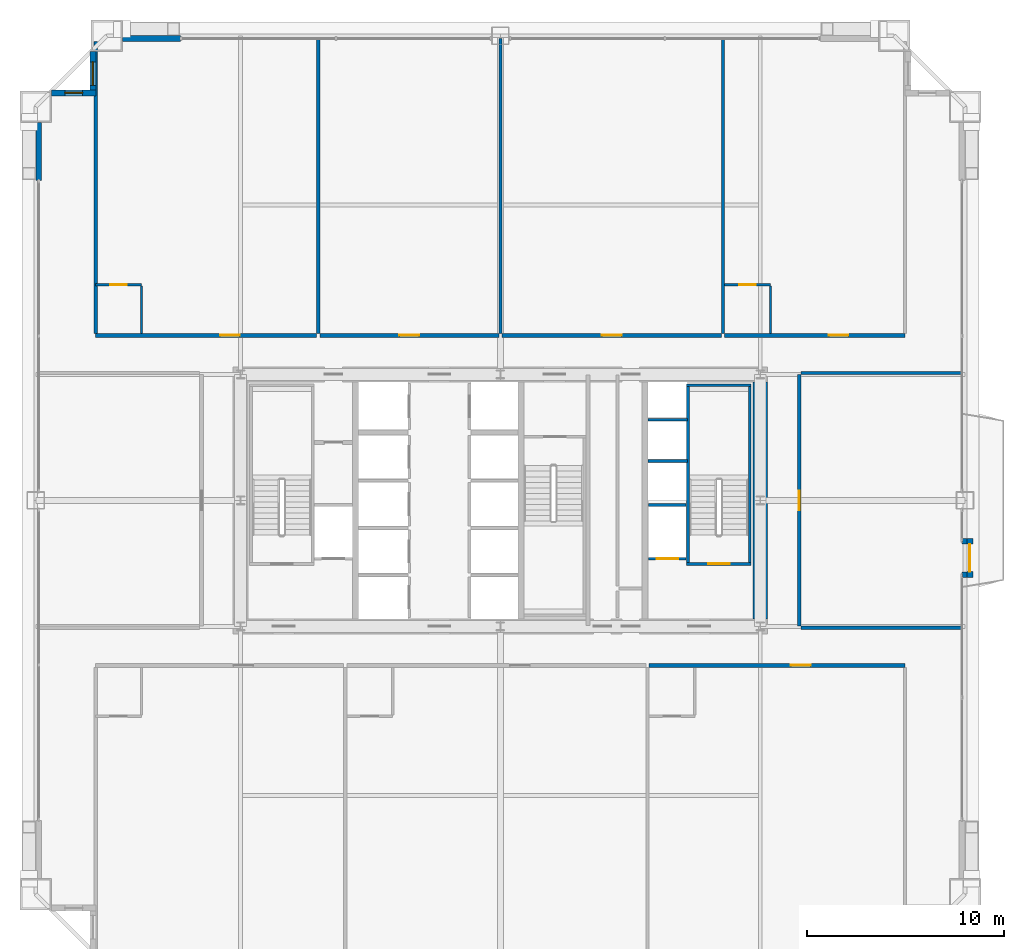
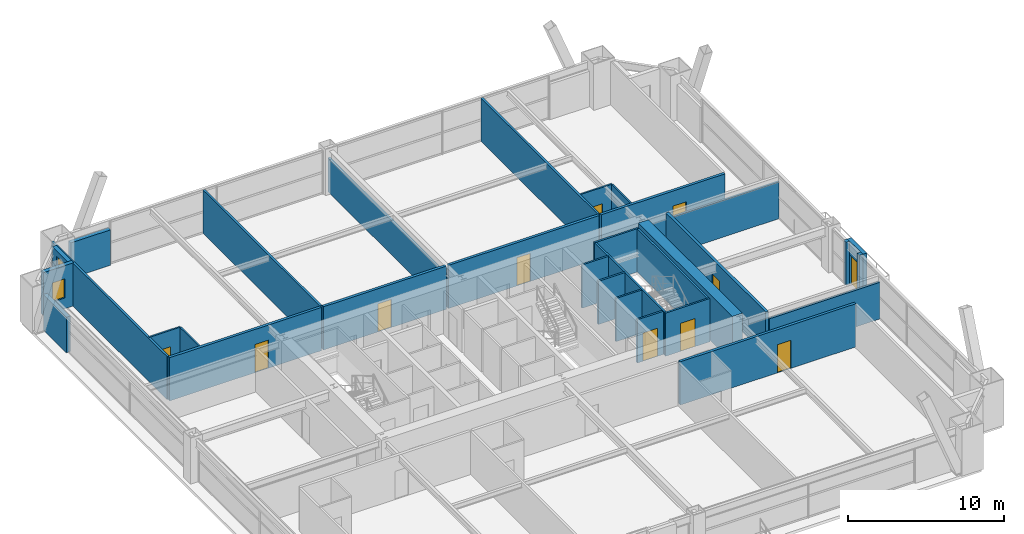
# One storey, part 41 of 43: 32 walls, 11 doors, 2 windows, 13 openings.
"""IFC4 building model written with IfcOpenShell, lengths in metres."""

from ifc_helpers import new_model, si_unit, direction, frame, frame_2d, origin, place, context, subcontext, project, spatial, rectangle, extrude, source, transform, mapped, material, layer, layer_set, type_object, element, fill, save


model = new_model("IFC4")

# Units and contexts
model_context = context("Model", 3, precision=1e-05, world=origin(), true_north=direction((0.0, 1.0)))
body_context = subcontext(model_context, "Body", "Model", "MODEL_VIEW")
ifc_project = project(units=[si_unit("LENGTHUNIT", "METRE"), si_unit("AREAUNIT", "SQUARE_METRE"), si_unit("VOLUMEUNIT", "CUBIC_METRE"), si_unit("PLANEANGLEUNIT", "RADIAN"), si_unit("MASSUNIT", "GRAM", prefix="KILO"), si_unit("THERMODYNAMICTEMPERATUREUNIT", "KELVIN"), si_unit("POWERUNIT", "WATT")], contexts=[model_context])

# Site, building, storey
site_placement = place(None, origin())
site = spatial("IfcSite", under=ifc_project, at=site_placement, CompositionType="ELEMENT")
building_placement = place(site_placement, origin())
building = spatial("IfcBuilding", under=site, at=building_placement, Name="Yuzanri Waterfront Tower", CompositionType="ELEMENT")
storey_placement = place(building_placement, frame((0.0, 0.0, 101.0)))
storey = spatial("IfcBuildingStorey", under=building, at=storey_placement, Name="L26", CompositionType="ELEMENT", Elevation=101.0)

# Wall, opening, door
ifc_material_1 = material(Name="Moisture-Resistant Gypsum Stud Wall", Category="gypsum")
ifc_layer_1 = layer(ifc_material_1, 0.1201171875)
ifc_layer_set_1 = layer_set([ifc_layer_1], Name="Moisture-Resistant Gypsum Stud Wall")
wall_type_1 = type_object("IfcWallType", Name="Bathroom and Kitchen Wet Partition 120", PredefinedType="PARTITIONING", material=ifc_layer_set_1)
wall_1_placement = place(storey_placement, frame((16.43994140625, 36.760009765625, 0.0), z_axis=(0.0, 0.0, 1.0), x_axis=(1.0, 0.0, 0.0)))
wall_1 = element("IfcWall", 1, at=wall_1_placement, inside=storey, type_object=wall_type_1, Name="L26 Partition UW-L26-N1-BN", PredefinedType="PARTITIONING", context=body_context, shape_type="SweptSolid", body=[
    extrude(rectangle(XDim=2.330078125, YDim=0.1201171875, at=frame_2d((1.1650390625, 0.0))), origin(), (0.0, 0.0, 1.0), 3.3798828125),
])
opening_1_placement = place(wall_1_placement, frame((0.739990234375, 0.0, 0.0)))
opening_1 = element("IfcOpeningElement", 2, at=opening_1_placement, cuts=wall_1, Name="Opening ID-0850", PredefinedType="OPENING", context=body_context, shape_type="SweptSolid", body=[
    extrude(rectangle(XDim=0.85009765625, YDim=2.10009765625, at=frame_2d((0.425048828125, 1.050048828125))), frame((0.0, 0.074951171875, 0.0), z_axis=(0.0, -1.0, 0.0), x_axis=(1.0, 0.0, 0.0)), (0.0, 0.0, 1.0), 0.14990234375),
])
ifc_material_2 = material(Name="Moisture-Resistant Lacquered Timber", Category="wood")
door_type_1 = type_object("IfcDoorType", Name="En-Suite Bathroom and Kitchen Swing Door 850x2100", OperationType="NOTDEFINED", PredefinedType="DOOR", material=ifc_material_2)
shared_shape_1 = source(origin(), body_context, "Body", "SweptSolid", [
    extrude(rectangle(XDim=0.85009765625, YDim=2.10009765625, at=frame_2d((0.425048828125, 1.050048828125))), frame((0.0, 0.02490234375, 0.0), z_axis=(0.0, -1.0, 0.0), x_axis=(1.0, 0.0, 0.0)), (0.0, 0.0, 1.0), 0.050048828125),
])
door_1_placement = place(opening_1_placement, origin())
door_1 = element("IfcDoor", 3, at=door_1_placement, inside=storey, type_object=door_type_1, Name="L26 Guest En-Suite Door", OperationType="SINGLE_SWING_LEFT", OverallHeight=2.10009765625, OverallWidth=0.85009765625, PredefinedType="DOOR", context=body_context, shape_type="MappedRepresentation", body=[
    mapped(shared_shape_1, transform((0.0, 0.0, 0.0), scale=1.0)),
])
fill(opening_1, door_1)

wall_2_placement = place(storey_placement, frame((48.387939453125, 36.760009765625, 0.0), z_axis=(0.0, 0.0, 1.0), x_axis=(1.0, 0.0, 0.0)))
wall_2 = element("IfcWall", 4, at=wall_2_placement, inside=storey, type_object=wall_type_1, Name="L26 Partition UW-L26-N4-BN", PredefinedType="PARTITIONING", context=body_context, shape_type="SweptSolid", body=[
    extrude(rectangle(XDim=2.330078125, YDim=0.1201171875, at=frame_2d((1.1650390625, 0.0))), origin(), (0.0, 0.0, 1.0), 3.3798828125),
])
opening_2_placement = place(wall_2_placement, frame((0.739990234375, 0.0, 0.0)))
opening_2 = element("IfcOpeningElement", 5, at=opening_2_placement, cuts=wall_2, Name="Opening ID-0850", PredefinedType="OPENING", context=body_context, shape_type="SweptSolid", body=[
    extrude(rectangle(XDim=0.85009765625, YDim=2.10009765625, at=frame_2d((0.425048828125, 1.050048828125))), frame((0.0, 0.074951171875, 0.0), z_axis=(0.0, -1.0, 0.0), x_axis=(1.0, 0.0, 0.0)), (0.0, 0.0, 1.0), 0.14990234375),
])
door_2_placement = place(opening_2_placement, origin())
door_2 = element("IfcDoor", 6, at=door_2_placement, inside=storey, type_object=door_type_1, Name="L26 Guest En-Suite Door", OperationType="SINGLE_SWING_LEFT", OverallHeight=2.10009765625, OverallWidth=0.85009765625, PredefinedType="DOOR", context=body_context, shape_type="MappedRepresentation", body=[
    mapped(shared_shape_1, transform((0.0, 0.0, 0.0), scale=1.0)),
])
fill(opening_2, door_2)

# Wall, opening, window
ifc_material_3 = material(Name="Honed Chongqing Dark Basalt Stone", Category="masonry")
ifc_layer_2 = layer(ifc_material_3, 0.300048828125)
ifc_layer_set_2 = layer_set([ifc_layer_2], Name="Honed Chongqing Dark Basalt Stone")
wall_type_2 = type_object("IfcWallType", Name="Bronze Rainscreen Insulated Spandrel Portal Wall 300", PredefinedType="SOLIDWALL", material=ifc_layer_set_2)
wall_3_placement = place(storey_placement, frame((16.449951171875, 46.5, 0.0), z_axis=(0.0, 0.0, 1.0), x_axis=(-1.0, 0.0, 0.0)))
wall_3 = element("IfcWall", 7, at=wall_3_placement, inside=storey, type_object=wall_type_2, Name="L26 Notched Corner Masonry Wall NW-X", PredefinedType="SOLIDWALL", context=body_context, shape_type="SweptSolid", body=[
    extrude(rectangle(XDim=2.25, YDim=0.300048828125, at=frame_2d((1.125, 0.0))), origin(), (0.0, 0.0, 1.0), 3.3798828125),
])
opening_3_placement = place(wall_3_placement, frame((0.675048828125, 0.0, 0.85009765625)))
opening_3 = element("IfcOpeningElement", 8, at=opening_3_placement, cuts=wall_3, Name="Opening WN-05", PredefinedType="OPENING", context=body_context, shape_type="SweptSolid", body=[
    extrude(rectangle(XDim=0.89990234375, YDim=1.5, at=frame_2d((0.449951171875, 0.75))), frame((0.0, 0.1650390625, 0.0), z_axis=(0.0, -1.0, 0.0), x_axis=(1.0, 0.0, 0.0)), (0.0, 0.0, 1.0), 0.329833984375),
])
ifc_material_4 = material(Name="Double-Silver Low-E Insulated Glass", Category="glass")
window_type_1 = type_object("IfcWindowType", Name="Anodized Bronze Service and Stairwell Smoke-Vent Window 900x1500", PartitioningType="SINGLE_PANEL", PredefinedType="WINDOW", material=ifc_material_4)
shared_shape_2 = source(origin(), body_context, "Body", "SweptSolid", [
    extrude(rectangle(XDim=0.89990234375, YDim=1.5, at=frame_2d((0.449951171875, 0.75))), frame((0.0, 0.030029296875, 0.0), z_axis=(0.0, -1.0, 0.0), x_axis=(1.0, 0.0, 0.0)), (0.0, 0.0, 1.0), 0.06005859375),
])
window_1_placement = place(opening_3_placement, origin())
window_1 = element("IfcWindow", 9, at=window_1_placement, inside=storey, type_object=window_type_1, Name="L26 Notched Corner Window NW-X", OverallHeight=1.5, OverallWidth=0.89990234375, PartitioningType="SINGLE_PANEL", PredefinedType="WINDOW", context=body_context, shape_type="MappedRepresentation", body=[
    mapped(shared_shape_2, transform((0.0, 0.0, 0.0), scale=1.0)),
])
fill(opening_3, window_1)

wall_4_placement = place(storey_placement, frame((16.300048828125, 48.60009765625, 0.0), z_axis=(0.0, 0.0, 1.0), x_axis=(0.0, -1.0, 0.0)))
wall_4 = element("IfcWall", 10, at=wall_4_placement, inside=storey, type_object=wall_type_2, Name="L26 Notched Corner Masonry Wall NW-Y", PredefinedType="SOLIDWALL", context=body_context, shape_type="SweptSolid", body=[
    extrude(rectangle(XDim=2.25, YDim=0.300048828125, at=frame_2d((1.125, 0.0))), origin(), (0.0, 0.0, 1.0), 3.3798828125),
])
opening_4_placement = place(wall_4_placement, frame((0.52490234375, 0.0, 0.85009765625)))
opening_4 = element("IfcOpeningElement", 11, at=opening_4_placement, cuts=wall_4, Name="Opening WN-02", PredefinedType="OPENING", context=body_context, shape_type="SweptSolid", body=[
    extrude(rectangle(XDim=1.199951171875, YDim=2.10009765625, at=frame_2d((0.60009765625, 1.050048828125))), frame((0.0, 0.1650390625, 0.0), z_axis=(0.0, -1.0, 0.0), x_axis=(1.0, 0.0, 0.0)), (0.0, 0.0, 1.0), 0.329833984375),
])
ifc_material_5 = material(Name="Double-Silver Low-E Insulated Glass", Category="glass")
window_type_2 = type_object("IfcWindowType", Name="Anodized Bronze Notched Corner Deep-Set Slot Window 1200x2100", PartitioningType="SINGLE_PANEL", PredefinedType="WINDOW", material=ifc_material_5)
shared_shape_3 = source(origin(), body_context, "Body", "SweptSolid", [
    extrude(rectangle(XDim=1.199951171875, YDim=2.10009765625, at=frame_2d((0.60009765625, 1.050048828125))), frame((0.0, 0.030029296875, 0.0), z_axis=(0.0, -1.0, 0.0), x_axis=(1.0, 0.0, 0.0)), (0.0, 0.0, 1.0), 0.06005859375),
])
window_2_placement = place(opening_4_placement, origin())
window_2 = element("IfcWindow", 12, at=window_2_placement, inside=storey, type_object=window_type_2, Name="L26 Notched Corner Window NW-Y", OverallHeight=2.10009765625, OverallWidth=1.199951171875, PartitioningType="SINGLE_PANEL", PredefinedType="WINDOW", context=body_context, shape_type="MappedRepresentation", body=[
    mapped(shared_shape_3, transform((0.0, 0.0, 0.0), scale=1.0)),
])
fill(opening_4, window_2)

# Wall, opening, door
wall_5_placement = place(storey_placement, frame((60.85009765625, 21.875, 0.0), z_axis=(0.0, 0.0, 1.0), x_axis=(0.0, 1.0, 0.0)))
wall_5 = element("IfcWall", 13, at=wall_5_placement, inside=storey, type_object=wall_type_2, Name="L26 E Terrace Door Portal Wall", PredefinedType="SOLIDWALL", context=body_context, shape_type="SweptSolid", body=[
    extrude(rectangle(XDim=2.0, YDim=0.300048828125, at=frame_2d((1.0, 0.0))), origin(), (0.0, 0.0, 1.0), 3.3798828125),
])
opening_5_placement = place(wall_5_placement, frame((0.300048828125, 0.0, 0.0)))
opening_5 = element("IfcOpeningElement", 14, at=opening_5_placement, cuts=wall_5, Name="Opening TD-1400", PredefinedType="OPENING", context=body_context, shape_type="SweptSolid", body=[
    extrude(rectangle(XDim=1.39990234375, YDim=2.300048828125, at=frame_2d((0.699951171875, 1.14990234375))), frame((0.0, 0.1650390625, 0.0), z_axis=(0.0, -1.0, 0.0), x_axis=(1.0, 0.0, 0.0)), (0.0, 0.0, 1.0), 0.329833984375),
])
ifc_material_6 = material(Name="Anodized Architectural Bronze", Category="metal")
door_type_2 = type_object("IfcDoorType", Name="Anodized Bronze Balcony and Terrace Glazed Double Door 1400x2300", OperationType="NOTDEFINED", PredefinedType="DOOR", material=ifc_material_6)
shared_shape_4 = source(origin(), body_context, "Body", "SweptSolid", [
    extrude(rectangle(XDim=1.39990234375, YDim=2.300048828125, at=frame_2d((0.699951171875, 1.14990234375))), frame((0.0, 0.02490234375, 0.0), z_axis=(0.0, -1.0, 0.0), x_axis=(1.0, 0.0, 0.0)), (0.0, 0.0, 1.0), 0.050048828125),
])
door_3_placement = place(opening_5_placement, origin())
door_3 = element("IfcDoor", 15, at=door_3_placement, inside=storey, type_object=door_type_2, Name="L26 E Terrace Glazed Double Door", OperationType="DOUBLE_DOOR_SINGLE_SWING", OverallHeight=2.300048828125, OverallWidth=1.39990234375, PredefinedType="DOOR", context=body_context, shape_type="MappedRepresentation", body=[
    mapped(shared_shape_4, transform((0.0, 0.0, 0.0), scale=1.0)),
])
fill(opening_5, door_3)

ifc_material_7 = material(Name="Concrete C40", Category="concrete")
ifc_layer_3 = layer(ifc_material_7, 0.139892578125)
ifc_layer_set_3 = layer_set([ifc_layer_3], Name="Concrete C40")
wall_type_3 = type_object("IfcWallType", Name="Core Stair Liner and Hoistway Shaft Wall 140", PredefinedType="SOLIDWALL", material=ifc_layer_set_3)
wall_6_placement = place(storey_placement, frame((44.52001953125, 22.830078125, 0.0), z_axis=(0.0, 0.0, 1.0), x_axis=(1.0, 0.0, 0.0)))
wall_6 = element("IfcWall", 16, at=wall_6_placement, inside=storey, type_object=wall_type_3, Name="L26 Lift FL-02 Front Shaft Wall", PredefinedType="SOLIDWALL", context=body_context, shape_type="SweptSolid", body=[
    extrude(rectangle(XDim=1.919921875, YDim=0.139892578125, at=frame_2d((0.9599609375, 0.0))), origin(), (0.0, 0.0, 1.0), 3.3798828125),
])
opening_6_placement = place(wall_6_placement, frame((0.409912109375, 0.0, 0.0)))
opening_6 = element("IfcOpeningElement", 17, at=opening_6_placement, cuts=wall_6, Name="Opening LD-FL-02", PredefinedType="OPENING", context=body_context, shape_type="SweptSolid", body=[
    extrude(rectangle(XDim=1.10009765625, YDim=2.199951171875, at=frame_2d((0.550048828125, 1.10009765625))), frame((0.0, 0.0849609375, 0.0), z_axis=(0.0, -1.0, 0.0), x_axis=(1.0, 0.0, 0.0)), (0.0, 0.0, 1.0), 0.169677734375),
])
ifc_material_8 = material(Name="Brushed Bronze and Stainless Steel Cab", Category="steel")
door_type_3 = type_object("IfcDoorType", Name="Center-Parting Bronze Lift Landing Sliding Door 1100x2200", OperationType="NOTDEFINED", PredefinedType="DOOR", material=ifc_material_8)
shared_shape_5 = source(origin(), body_context, "Body", "SweptSolid", [
    extrude(rectangle(XDim=1.10009765625, YDim=2.199951171875, at=frame_2d((0.550048828125, 1.10009765625))), frame((0.0, 0.02490234375, 0.0), z_axis=(0.0, -1.0, 0.0), x_axis=(1.0, 0.0, 0.0)), (0.0, 0.0, 1.0), 0.050048828125),
])
door_4_placement = place(opening_6_placement, origin())
door_4 = element("IfcDoor", 18, at=door_4_placement, inside=storey, type_object=door_type_3, Name="L26 FL-02 Lift Landing Sliding Door", OperationType="SLIDING_TO_RIGHT", OverallHeight=2.199951171875, OverallWidth=1.10009765625, PredefinedType="DOOR", context=body_context, shape_type="MappedRepresentation", body=[
    mapped(shared_shape_5, transform((0.0, 0.0, 0.0), scale=1.0)),
])
fill(opening_6, door_4)

wall_7_placement = place(storey_placement, frame((46.4599609375, 22.570068359375, 0.0), z_axis=(0.0, 0.0, 1.0), x_axis=(1.0, 0.0, 0.0)))
wall_7 = element("IfcWall", 19, at=wall_7_placement, inside=storey, type_object=wall_type_3, Name="L26 Shaft Wall STW-L26-ST-02-S", PredefinedType="SOLIDWALL", context=body_context, shape_type="SweptSolid", body=[
    extrude(rectangle(XDim=3.280029296875, YDim=0.139892578125, at=frame_2d((1.64013671875, 0.0))), origin(), (0.0, 0.0, 1.0), 3.3798828125),
])
opening_7_placement = place(wall_7_placement, frame((1.090087890625, 0.0, 0.0)))
opening_7 = element("IfcOpeningElement", 20, at=opening_7_placement, cuts=wall_7, Name="Opening FD-1100", PredefinedType="OPENING", context=body_context, shape_type="SweptSolid", body=[
    extrude(rectangle(XDim=1.10009765625, YDim=2.199951171875, at=frame_2d((0.550048828125, 1.10009765625))), frame((0.0, 0.0849609375, 0.0), z_axis=(0.0, -1.0, 0.0), x_axis=(1.0, 0.0, 0.0)), (0.0, 0.0, 1.0), 0.169677734375),
])
ifc_material_9 = material(Name="Painted Galvanized Fire Steel", Category="steel")
door_type_4 = type_object("IfcDoorType", Name="Smoke-Proof Stair and Lobby Fire Door 1100x2200", OperationType="NOTDEFINED", PredefinedType="DOOR", material=ifc_material_9)
shared_shape_6 = source(origin(), body_context, "Body", "SweptSolid", [
    extrude(rectangle(XDim=1.10009765625, YDim=2.199951171875, at=frame_2d((0.550048828125, 1.10009765625))), frame((0.0, 0.02490234375, 0.0), z_axis=(0.0, -1.0, 0.0), x_axis=(1.0, 0.0, 0.0)), (0.0, 0.0, 1.0), 0.050048828125),
])
door_5_placement = place(opening_7_placement, origin())
door_5 = element("IfcDoor", 21, at=door_5_placement, inside=storey, type_object=door_type_4, Name="L26 Stair ST-02 Fire Door", OperationType="SINGLE_SWING_RIGHT", OverallHeight=2.199951171875, OverallWidth=1.10009765625, PredefinedType="DOOR", context=body_context, shape_type="MappedRepresentation", body=[
    mapped(shared_shape_6, transform((0.0, 0.0, 0.0), scale=1.0)),
])
fill(opening_7, door_5)

ifc_material_10 = material(Name="Autoclaved Aerated Concrete Blockwork", Category="masonry")
ifc_layer_4 = layer(ifc_material_10, 0.199951171875)
ifc_layer_set_4 = layer_set([ifc_layer_4], Name="Autoclaved Aerated Concrete Blockwork")
wall_type_4 = type_object("IfcWallType", Name="Corridor and Unit Party Fire Wall 200", PredefinedType="PARTITIONING", material=ifc_layer_set_4)
wall_8_placement = place(storey_placement, frame((44.550048828125, 17.419921875, 0.0), z_axis=(0.0, 0.0, 1.0), x_axis=(1.0, 0.0, 0.0)))
wall_8 = element("IfcWall", 22, at=wall_8_placement, inside=storey, type_object=wall_type_4, Name="L26 Partition UW-L26-S3-CN", PredefinedType="PARTITIONING", context=body_context, shape_type="SweptSolid", body=[
    extrude(rectangle(XDim=13.010009765625, YDim=0.199951171875, at=frame_2d((6.5048828125, 0.0))), origin(), (0.0, 0.0, 1.0), 3.3798828125),
])
opening_8_placement = place(wall_8_placement, frame((7.2099609375, 0.0, 0.0)))
opening_8 = element("IfcOpeningElement", 23, at=opening_8_placement, cuts=wall_8, Name="Opening FD-1000", PredefinedType="OPENING", context=body_context, shape_type="SweptSolid", body=[
    extrude(rectangle(XDim=1.0, YDim=2.199951171875, at=frame_2d((0.5, 1.10009765625))), frame((0.0, 0.11474609375, 0.0), z_axis=(0.0, -1.0, 0.0), x_axis=(1.0, 0.0, 0.0)), (0.0, 0.0, 1.0), 0.229736328125),
])
ifc_material_11 = material(Name="Engineered Oak Fire-Rated Timber", Category="wood")
door_type_5 = type_object("IfcDoorType", Name="Guestroom and Apartment Entrance Fire Door 1000x2200", OperationType="NOTDEFINED", PredefinedType="DOOR", material=ifc_material_11)
shared_shape_7 = source(origin(), body_context, "Body", "SweptSolid", [
    extrude(rectangle(XDim=1.0, YDim=2.199951171875, at=frame_2d((0.5, 1.10009765625))), frame((0.0, 0.02490234375, 0.0), z_axis=(0.0, -1.0, 0.0), x_axis=(1.0, 0.0, 0.0)), (0.0, 0.0, 1.0), 0.050048828125),
])
door_6_placement = place(opening_8_placement, origin())
door_6 = element("IfcDoor", 24, at=door_6_placement, inside=storey, type_object=door_type_5, Name="L26 Ambassador Corner Suite Entrance Door", OperationType="SINGLE_SWING_RIGHT", OverallHeight=2.199951171875, OverallWidth=1.0, PredefinedType="DOOR", context=body_context, shape_type="MappedRepresentation", body=[
    mapped(shared_shape_7, transform((0.0, 0.0, 0.0), scale=1.0)),
])
fill(opening_8, door_6)

wall_9_placement = place(storey_placement, frame((16.43994140625, 34.179931640625, 0.0), z_axis=(0.0, 0.0, 1.0), x_axis=(1.0, 0.0, 0.0)))
wall_9 = element("IfcWall", 25, at=wall_9_placement, inside=storey, type_object=wall_type_4, Name="L26 Partition UW-L26-N1-CS", PredefinedType="PARTITIONING", context=body_context, shape_type="SweptSolid", body=[
    extrude(rectangle(XDim=11.22802734375, YDim=0.199951171875, at=frame_2d((5.614013671875, 0.0))), origin(), (0.0, 0.0, 1.0), 3.3798828125),
])
opening_9_placement = place(wall_9_placement, frame((6.319091796875, 0.0, 0.0)))
opening_9 = element("IfcOpeningElement", 26, at=opening_9_placement, cuts=wall_9, Name="Opening FD-1000", PredefinedType="OPENING", context=body_context, shape_type="SweptSolid", body=[
    extrude(rectangle(XDim=1.0, YDim=2.199951171875, at=frame_2d((0.5, 1.10009765625))), frame((0.0, 0.11474609375, 0.0), z_axis=(0.0, -1.0, 0.0), x_axis=(1.0, 0.0, 0.0)), (0.0, 0.0, 1.0), 0.229736328125),
])
door_7_placement = place(opening_9_placement, origin())
door_7 = element("IfcDoor", 27, at=door_7_placement, inside=storey, type_object=door_type_5, Name="L26 Cityview Executive Suite Entrance Door", OperationType="SINGLE_SWING_RIGHT", OverallHeight=2.199951171875, OverallWidth=1.0, PredefinedType="DOOR", context=body_context, shape_type="MappedRepresentation", body=[
    mapped(shared_shape_7, transform((0.0, 0.0, 0.0), scale=1.0)),
])
fill(opening_9, door_7)

wall_10_placement = place(storey_placement, frame((27.827880859375, 34.179931640625, 0.0), z_axis=(0.0, 0.0, 1.0), x_axis=(1.0, 0.0, 0.0)))
wall_10 = element("IfcWall", 28, at=wall_10_placement, inside=storey, type_object=wall_type_4, Name="L26 Partition UW-L26-N2-CS", PredefinedType="PARTITIONING", context=body_context, shape_type="SweptSolid", body=[
    extrude(rectangle(XDim=9.092041015625, YDim=0.199951171875, at=frame_2d((4.5458984375, 0.0))), origin(), (0.0, 0.0, 1.0), 3.3798828125),
])
opening_10_placement = place(wall_10_placement, frame((4.0458984375, 0.0, 0.0)))
opening_10 = element("IfcOpeningElement", 29, at=opening_10_placement, cuts=wall_10, Name="Opening FD-1000", PredefinedType="OPENING", context=body_context, shape_type="SweptSolid", body=[
    extrude(rectangle(XDim=1.0, YDim=2.199951171875, at=frame_2d((0.5, 1.10009765625))), frame((0.0, 0.11474609375, 0.0), z_axis=(0.0, -1.0, 0.0), x_axis=(1.0, 0.0, 0.0)), (0.0, 0.0, 1.0), 0.229736328125),
])
door_8_placement = place(opening_10_placement, origin())
door_8 = element("IfcDoor", 30, at=door_8_placement, inside=storey, type_object=door_type_5, Name="L26 Diplomatic Boardroom A Entrance Door", OperationType="SINGLE_SWING_RIGHT", OverallHeight=2.199951171875, OverallWidth=1.0, PredefinedType="DOOR", context=body_context, shape_type="MappedRepresentation", body=[
    mapped(shared_shape_7, transform((0.0, 0.0, 0.0), scale=1.0)),
])
fill(opening_10, door_8)

wall_11_placement = place(storey_placement, frame((37.080078125, 34.179931640625, 0.0), z_axis=(0.0, 0.0, 1.0), x_axis=(1.0, 0.0, 0.0)))
wall_11 = element("IfcWall", 31, at=wall_11_placement, inside=storey, type_object=wall_type_4, Name="L26 Partition UW-L26-N3-CS", PredefinedType="PARTITIONING", context=body_context, shape_type="SweptSolid", body=[
    extrude(rectangle(XDim=11.14794921875, YDim=0.199951171875, at=frame_2d((5.573974609375, 0.0))), origin(), (0.0, 0.0, 1.0), 3.3798828125),
])
opening_11_placement = place(wall_11_placement, frame((5.073974609375, 0.0, 0.0)))
opening_11 = element("IfcOpeningElement", 32, at=opening_11_placement, cuts=wall_11, Name="Opening FD-1000", PredefinedType="OPENING", context=body_context, shape_type="SweptSolid", body=[
    extrude(rectangle(XDim=1.0, YDim=2.199951171875, at=frame_2d((0.5, 1.10009765625))), frame((0.0, 0.11474609375, 0.0), z_axis=(0.0, -1.0, 0.0), x_axis=(1.0, 0.0, 0.0)), (0.0, 0.0, 1.0), 0.229736328125),
])
door_9_placement = place(opening_11_placement, origin())
door_9 = element("IfcDoor", 33, at=door_9_placement, inside=storey, type_object=door_type_5, Name="L26 Diplomatic Boardroom B Entrance Door", OperationType="SINGLE_SWING_LEFT", OverallHeight=2.199951171875, OverallWidth=1.0, PredefinedType="DOOR", context=body_context, shape_type="MappedRepresentation", body=[
    mapped(shared_shape_7, transform((0.0, 0.0, 0.0), scale=1.0)),
])
fill(opening_11, door_9)

wall_12_placement = place(storey_placement, frame((48.387939453125, 34.179931640625, 0.0), z_axis=(0.0, 0.0, 1.0), x_axis=(1.0, 0.0, 0.0)))
wall_12 = element("IfcWall", 34, at=wall_12_placement, inside=storey, type_object=wall_type_4, Name="L26 Partition UW-L26-N4-CS", PredefinedType="PARTITIONING", context=body_context, shape_type="SweptSolid", body=[
    extrude(rectangle(XDim=9.172119140625, YDim=0.199951171875, at=frame_2d((4.5859375, 0.0))), origin(), (0.0, 0.0, 1.0), 3.3798828125),
])
opening_12_placement = place(wall_12_placement, frame((5.291015625, 0.0, 0.0)))
opening_12 = element("IfcOpeningElement", 35, at=opening_12_placement, cuts=wall_12, Name="Opening FD-1000", PredefinedType="OPENING", context=body_context, shape_type="SweptSolid", body=[
    extrude(rectangle(XDim=1.0, YDim=2.199951171875, at=frame_2d((0.5, 1.10009765625))), frame((0.0, 0.11474609375, 0.0), z_axis=(0.0, -1.0, 0.0), x_axis=(1.0, 0.0, 0.0)), (0.0, 0.0, 1.0), 0.229736328125),
])
door_10_placement = place(opening_12_placement, origin())
door_10 = element("IfcDoor", 36, at=door_10_placement, inside=storey, type_object=door_type_5, Name="L26 Cityview Executive Suite Entrance Door", OperationType="SINGLE_SWING_RIGHT", OverallHeight=2.199951171875, OverallWidth=1.0, PredefinedType="DOOR", context=body_context, shape_type="MappedRepresentation", body=[
    mapped(shared_shape_7, transform((0.0, 0.0, 0.0), scale=1.0)),
])
fill(opening_12, door_10)

wall_13_placement = place(storey_placement, frame((52.179931640625, 19.409912109375, 0.0), z_axis=(0.0, 0.0, 1.0), x_axis=(0.0, 1.0, 0.0)))
wall_13 = element("IfcWall", 37, at=wall_13_placement, inside=storey, type_object=wall_type_4, Name="L26 Partition UW-L26-E1-CW", PredefinedType="PARTITIONING", context=body_context, shape_type="SweptSolid", body=[
    extrude(rectangle(XDim=12.780029296875, YDim=0.199951171875, at=frame_2d((6.39013671875, 0.0))), origin(), (0.0, 0.0, 1.0), 3.3798828125),
])
opening_13_placement = place(wall_13_placement, frame((5.889892578125, 0.0, 0.0)))
opening_13 = element("IfcOpeningElement", 38, at=opening_13_placement, cuts=wall_13, Name="Opening FD-1000", PredefinedType="OPENING", context=body_context, shape_type="SweptSolid", body=[
    extrude(rectangle(XDim=1.0, YDim=2.199951171875, at=frame_2d((0.5, 1.10009765625))), frame((0.0, 0.11474609375, 0.0), z_axis=(0.0, -1.0, 0.0), x_axis=(1.0, 0.0, 0.0)), (0.0, 0.0, 1.0), 0.229736328125),
])
door_11_placement = place(opening_13_placement, origin())
door_11 = element("IfcDoor", 39, at=door_11_placement, inside=storey, type_object=door_type_5, Name="L26 Executive Wellness Gym Studio Entrance Door", OperationType="SINGLE_SWING_LEFT", OverallHeight=2.199951171875, OverallWidth=1.0, PredefinedType="DOOR", context=body_context, shape_type="MappedRepresentation", body=[
    mapped(shared_shape_7, transform((0.0, 0.0, 0.0), scale=1.0)),
])
fill(opening_13, door_11)

# Walls
ifc_material_12 = material(Name="Concrete C55", Category="concrete")
ifc_layer_5 = layer(ifc_material_12, 0.75)
ifc_layer_set_5 = layer_set([ifc_layer_5], Name="Concrete C55")
wall_type_5 = type_object("IfcWallType", Name="Concrete C55 Low-Mid Zone Core Shear Wall 750", PredefinedType="SHEAR", material=ifc_layer_set_5)
shared_shape_8 = source(origin(), body_context, "Body", "SweptSolid", [
    extrude(rectangle(XDim=12.050048828125, YDim=0.75, at=frame_2d((6.02490234375, 0.0))), origin(), (0.0, 0.0, 1.0), 3.60009765625),
])
wall_14_placement = place(storey_placement, frame((50.199951171875, 19.77490234375, 0.0), z_axis=(0.0, 0.0, 1.0), x_axis=(0.0, 1.0, 0.0)))
element("IfcWall", 40, at=wall_14_placement, inside=storey, type_object=wall_type_5, Name="L26 Core East Shear Wall", PredefinedType="SHEAR", context=body_context, shape_type="MappedRepresentation", body=[
    mapped(shared_shape_8, transform((0.0, 0.0, 0.0), scale=1.0)),
])
shared_shape_9 = source(origin(), body_context, "Body", "SweptSolid", [
    extrude(rectangle(XDim=0.25, YDim=0.300048828125, at=frame_2d((0.125, 0.0))), origin(), (0.0, 0.0, 1.0), 3.3798828125),
])
for number, where, z_axis, x_axis, name in (
    (41, (60.449951171875, 22.02490234375, 0.0), (0.0, 0.0, 1.0), (1.0, 0.0, 0.0), "L26 E Terrace Portal Left Return"),
    (42, (60.699951171875, 23.72509765625, 0.0), (0.0, 0.0, 1.0), (-1.0, 0.0, 0.0), "L26 E Terrace Portal Right Return"),
):
    element("IfcWall", number, at=place(storey_placement, frame(where, z_axis=z_axis, x_axis=x_axis)), inside=storey, type_object=wall_type_2, Name=name, PredefinedType="SOLIDWALL", context=body_context, shape_type="MappedRepresentation", body=[
        mapped(shared_shape_9, transform((0.0, 0.0, 0.0), scale=1.0)),
    ])
shared_shape_10 = source(origin(), body_context, "Body", "SweptSolid", [
    extrude(rectangle(XDim=2.949951171875, YDim=0.300048828125, at=frame_2d((1.47509765625, 0.0))), origin(), (0.0, 0.0, 1.0), 2.77490234375),
])
for number, where, z_axis, x_axis, name in (
    (43, (17.800048828125, 49.25, 0.0), (0.0, 0.0, 1.0), (1.0, 0.0, 0.0), "L26 N Left Braced Masonry Shoulder"),
    (44, (13.550048828125, 42.050048828125, 0.0), (0.0, 0.0, 1.0), (0.0, 1.0, 0.0), "L26 W Right Braced Masonry Shoulder"),
):
    element("IfcWall", number, at=place(storey_placement, frame(where, z_axis=z_axis, x_axis=x_axis)), inside=storey, type_object=wall_type_2, Name=name, PredefinedType="SOLIDWALL", context=body_context, shape_type="MappedRepresentation", body=[
        mapped(shared_shape_10, transform((0.0, 0.0, 0.0), scale=1.0)),
    ])
shared_shape_11 = source(origin(), body_context, "Body", "SweptSolid", [
    extrude(rectangle(XDim=1.919921875, YDim=0.139892578125, at=frame_2d((0.9599609375, 0.0))), origin(), (0.0, 0.0, 1.0), 3.3798828125),
])
wall_15_placement = place(storey_placement, frame((44.52001953125, 25.570068359375, 0.0), z_axis=(0.0, 0.0, 1.0), x_axis=(1.0, 0.0, 0.0)))
element("IfcWall", 45, at=wall_15_placement, inside=storey, type_object=wall_type_3, Name="L26 Lift FL-02 Back Shaft Wall", PredefinedType="SOLIDWALL", context=body_context, shape_type="MappedRepresentation", body=[
    mapped(shared_shape_11, transform((0.0, 0.0, 0.0), scale=1.0)),
])
shared_shape_12 = source(origin(), body_context, "Body", "SweptSolid", [
    extrude(rectangle(XDim=2.0, YDim=0.139892578125, at=frame_2d((1.0, 0.0))), origin(), (0.0, 0.0, 1.0), 3.3798828125),
])
for number, where, z_axis, x_axis, name in (
    (46, (44.5, 27.800048828125, 0.0), (0.0, 0.0, 1.0), (1.0, 0.0, 0.0), "L26 Lift PL-09 Divider Wall"),
    (47, (44.5, 29.89990234375, 0.0), (0.0, 0.0, 1.0), (1.0, 0.0, 0.0), "L26 Lift PL-10 Divider Wall"),
):
    element("IfcWall", number, at=place(storey_placement, frame(where, z_axis=z_axis, x_axis=x_axis)), inside=storey, type_object=wall_type_3, Name=name, PredefinedType="SOLIDWALL", context=body_context, shape_type="MappedRepresentation", body=[
        mapped(shared_shape_12, transform((0.0, 0.0, 0.0), scale=1.0)),
    ])
shared_shape_13 = source(origin(), body_context, "Body", "SweptSolid", [
    extrude(rectangle(XDim=3.280029296875, YDim=0.139892578125, at=frame_2d((1.64013671875, 0.0))), origin(), (0.0, 0.0, 1.0), 3.3798828125),
])
wall_16_placement = place(storey_placement, frame((46.4599609375, 31.64990234375, 0.0), z_axis=(0.0, 0.0, 1.0), x_axis=(1.0, 0.0, 0.0)))
element("IfcWall", 48, at=wall_16_placement, inside=storey, type_object=wall_type_3, Name="L26 Stair ST-02 North Shaft Wall", PredefinedType="SOLIDWALL", context=body_context, shape_type="MappedRepresentation", body=[
    mapped(shared_shape_13, transform((0.0, 0.0, 0.0), scale=1.0)),
])
shared_shape_14 = source(origin(), body_context, "Body", "SweptSolid", [
    extrude(rectangle(XDim=8.940185546875, YDim=0.139892578125, at=frame_2d((4.47021484375, 0.0))), origin(), (0.0, 0.0, 1.0), 3.3798828125),
])
for number, where, z_axis, x_axis, name in (
    (49, (46.530029296875, 22.639892578125, 0.0), (0.0, 0.0, 1.0), (0.0, 1.0, 0.0), "L26 Stair ST-02 West Shaft Wall"),
    (50, (49.669921875, 22.639892578125, 0.0), (0.0, 0.0, 1.0), (0.0, 1.0, 0.0), "L26 Stair ST-02 East Shaft Wall"),
):
    element("IfcWall", number, at=place(storey_placement, frame(where, z_axis=z_axis, x_axis=x_axis)), inside=storey, type_object=wall_type_3, Name=name, PredefinedType="SOLIDWALL", context=body_context, shape_type="MappedRepresentation", body=[
        mapped(shared_shape_14, transform((0.0, 0.0, 0.0), scale=1.0)),
    ])
shared_shape_15 = source(origin(), body_context, "Body", "SweptSolid", [
    extrude(rectangle(XDim=2.419921875, YDim=0.1201171875, at=frame_2d((1.2099609375, 0.0))), origin(), (0.0, 0.0, 1.0), 3.3798828125),
])
for number, where, z_axis, x_axis, name in (
    (51, (18.77001953125, 34.280029296875, 0.0), (0.0, 0.0, 1.0), (0.0, 1.0, 0.0), "L26-N1 En-Suite Side Wall"),
    (52, (50.718017578125, 34.280029296875, 0.0), (0.0, 0.0, 1.0), (0.0, 1.0, 0.0), "L26-N4 En-Suite Side Wall"),
):
    element("IfcWall", number, at=place(storey_placement, frame(where, z_axis=z_axis, x_axis=x_axis)), inside=storey, type_object=wall_type_1, Name=name, PredefinedType="PARTITIONING", context=body_context, shape_type="MappedRepresentation", body=[
        mapped(shared_shape_15, transform((0.0, 0.0, 0.0), scale=1.0)),
    ])
ifc_material_13 = material(Name="Gypsum Fireboard Acoustic Stud Wall", Category="gypsum")
ifc_layer_6 = layer(ifc_material_13, 0.159912109375)
ifc_layer_set_6 = layer_set([ifc_layer_6], Name="Gypsum Fireboard Acoustic Stud Wall")
wall_type_6 = type_object("IfcWallType", Name="Acoustic Suite Demising Partition 160", PredefinedType="PARTITIONING", material=ifc_layer_set_6)
shared_shape_16 = source(origin(), body_context, "Body", "SweptSolid", [
    extrude(rectangle(XDim=8.169921875, YDim=0.159912109375, at=frame_2d((4.0849609375, 0.0))), origin(), (0.0, 0.0, 1.0), 2.875),
])
for number, where, z_axis, x_axis, name in (
    (53, (52.280029296875, 19.330078125, 0.0), (0.0, 0.0, 1.0), (1.0, 0.0, 0.0), "L26-E1 Wing South End Wall"),
    (54, (52.280029296875, 32.27001953125, 0.0), (0.0, 0.0, 1.0), (1.0, 0.0, 0.0), "L26-E1 Wing North End Wall"),
):
    element("IfcWall", number, at=place(storey_placement, frame(where, z_axis=z_axis, x_axis=x_axis)), inside=storey, type_object=wall_type_6, Name=name, PredefinedType="PARTITIONING", context=body_context, shape_type="MappedRepresentation", body=[
        mapped(shared_shape_16, transform((0.0, 0.0, 0.0), scale=1.0)),
    ])
shared_shape_17 = source(origin(), body_context, "Body", "SweptSolid", [
    extrude(rectangle(XDim=14.969970703125, YDim=0.159912109375, at=frame_2d((7.48486328125, 0.0))), origin(), (0.0, 0.0, 1.0), 3.3798828125),
])
for number, where, z_axis, x_axis, name in (
    (55, (27.748046875, 34.280029296875, 0.0), (0.0, 0.0, 1.0), (0.0, 1.0, 0.0), "L26-N1 Party Wall"),
    (56, (48.30810546875, 34.280029296875, 0.0), (0.0, 0.0, 1.0), (0.0, 1.0, 0.0), "L26-N3 Party Wall"),
):
    element("IfcWall", number, at=place(storey_placement, frame(where, z_axis=z_axis, x_axis=x_axis)), inside=storey, type_object=wall_type_6, Name=name, PredefinedType="PARTITIONING", context=body_context, shape_type="MappedRepresentation", body=[
        mapped(shared_shape_17, transform((0.0, 0.0, 0.0), scale=1.0)),
    ])
shared_shape_18 = source(origin(), body_context, "Body", "SweptSolid", [
    extrude(rectangle(XDim=14.820068359375, YDim=0.159912109375, at=frame_2d((7.41015625, 0.0))), origin(), (0.0, 0.0, 1.0), 3.3798828125),
])
wall_17_placement = place(storey_placement, frame((16.449951171875, 34.280029296875, 0.0), z_axis=(0.0, 0.0, 1.0), x_axis=(0.0, 1.0, 0.0)))
element("IfcWall", 57, at=wall_17_placement, inside=storey, type_object=wall_type_6, Name="L26 North Band West End Wall", PredefinedType="PARTITIONING", context=body_context, shape_type="MappedRepresentation", body=[
    mapped(shared_shape_18, transform((0.0, 0.0, 0.0), scale=1.0)),
])
shared_shape_19 = source(origin(), body_context, "Body", "SweptSolid", [
    extrude(rectangle(XDim=14.969970703125, YDim=0.159912109375, at=frame_2d((7.48486328125, 0.0))), origin(), (0.0, 0.0, 1.0), 2.675048828125),
])
wall_18_placement = place(storey_placement, frame((37.0, 34.280029296875, 0.0), z_axis=(0.0, 0.0, 1.0), x_axis=(0.0, 1.0, 0.0)))
element("IfcWall", 58, at=wall_18_placement, inside=storey, type_object=wall_type_6, Name="L26-N2 Party Wall", PredefinedType="PARTITIONING", context=body_context, shape_type="MappedRepresentation", body=[
    mapped(shared_shape_19, transform((0.0, 0.0, 0.0), scale=1.0)),
])

save(model, "model.ifc")
